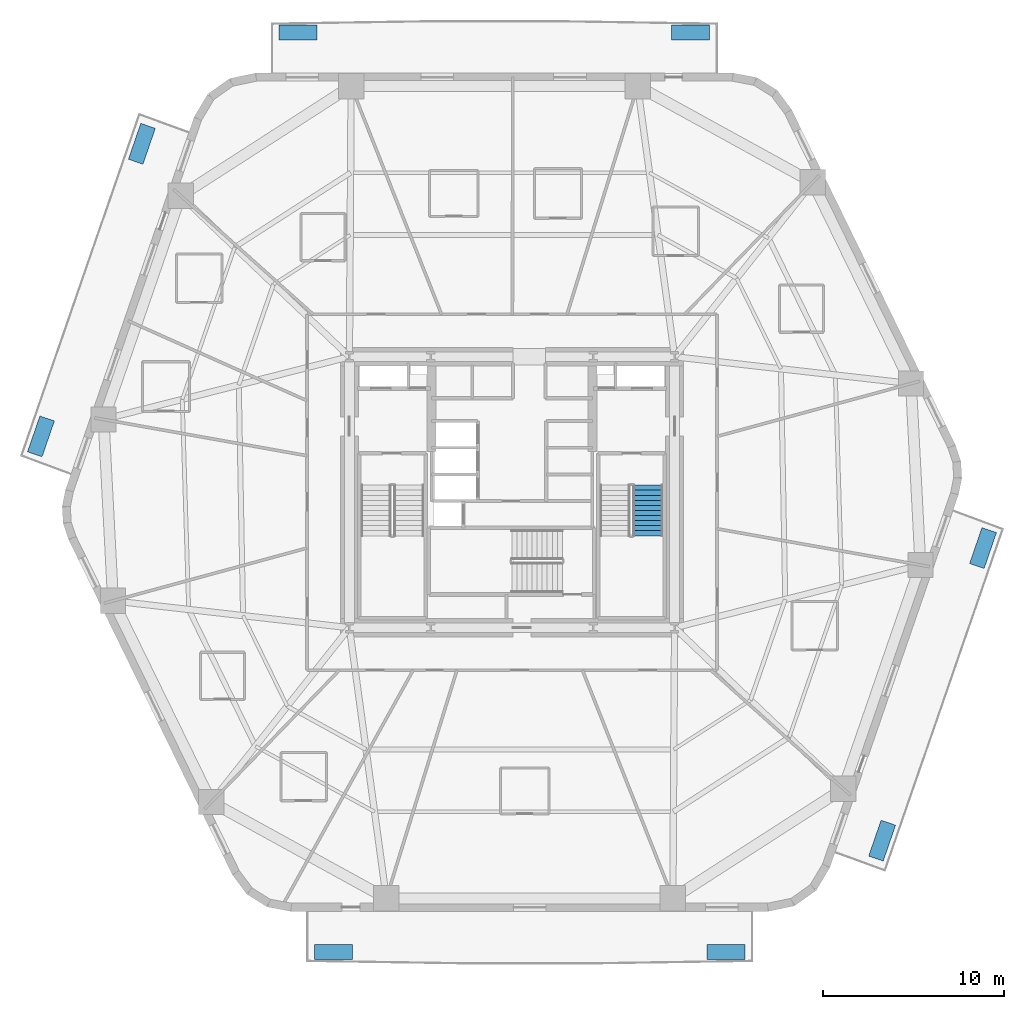
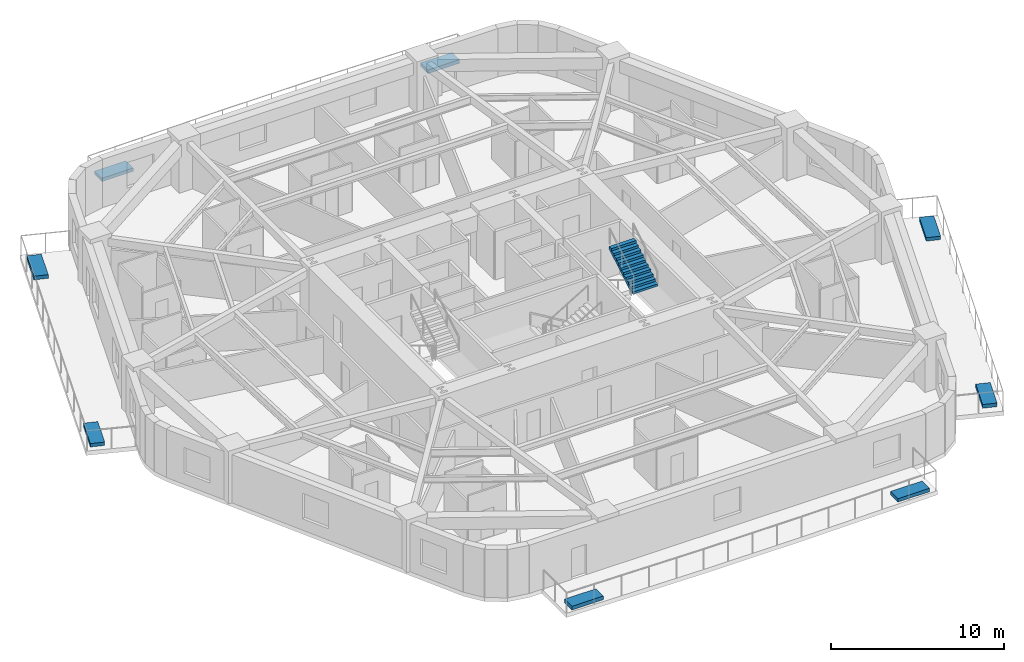
# One storey, part 7 of 10: 8 discrete accessories, 1 stair flight, 1 element without a shape of its own.
"""IFC4 building model written with IfcOpenShell, lengths in metres."""

from ifc_helpers import new_model, si_unit, direction, frame, origin, origin_2d, place, context, subcontext, project, spatial, polyline, rectangle, outline, extrude, material, type_object, element, aggregate, save


model = new_model("IFC4")

# Units and contexts
model_context = context("Model", 3, precision=1e-05, world=origin(), true_north=direction((0.0, 1.0)))
body_context = subcontext(model_context, "Body", "Model", "MODEL_VIEW")
ifc_project = project(units=[si_unit("LENGTHUNIT", "METRE"), si_unit("AREAUNIT", "SQUARE_METRE"), si_unit("VOLUMEUNIT", "CUBIC_METRE"), si_unit("PLANEANGLEUNIT", "RADIAN"), si_unit("MASSUNIT", "GRAM", prefix="KILO")], contexts=[model_context])

# Site, building, storey
site_placement = place(None, origin())
site = spatial("IfcSite", under=ifc_project, at=site_placement, CompositionType="ELEMENT")
building_placement = place(site_placement, origin())
building = spatial("IfcBuilding", under=site, at=building_placement, Name="Kilnhurst Terrace Hotel", CompositionType="ELEMENT")
storey_placement = place(building_placement, frame((0.0, 0.0, 71.199951171875)))
storey = spatial("IfcBuildingStorey", under=building, at=storey_placement, Name="L16", CompositionType="ELEMENT", Elevation=71.199951171875)

# Stair, stair flight
ifc_material_1 = material(Name="Concrete C50/60", Category="concrete")
stair_type = type_object("IfcStairType", Name="STR-CORE-1660", PredefinedType="HALF_TURN_STAIR", material=ifc_material_1)
stair_placement = place(storey_placement, origin())
stair = element("IfcStair", 1, at=stair_placement, inside=storey, type_object=stair_type, Name="L16 ST-2", PredefinedType="HALF_TURN_STAIR")
stair_flight_type = type_object("IfcStairFlightType", Name="FLT-RC-1660", PredefinedType="STRAIGHT", material=ifc_material_1)
stair_flight_placement = place(storey_placement, frame((7.52001953125, -2.409912109375, 1.85009765625), z_axis=(0.0, 0.0, 1.0), x_axis=(0.0, 1.0, 0.0)))
stair_flight = element("IfcStairFlight", 2, at=stair_flight_placement, type_object=stair_flight_type, Name="ST-2 flight 2", NumberOfRisers=11, NumberOfTreads=10, PredefinedType="STRAIGHT", RiserHeight=0.168181818, TreadLength=0.28, context=body_context, shape_type="SweptSolid", body=[
    extrude(outline(polyline([(0.0, 0.0), (0.0, 0.168212890625), (0.280029296875, 0.168212890625), (0.280029296875, 0.33642578125), (0.56005859375, 0.33642578125), (0.56005859375, 0.504638671875), (0.840087890625, 0.504638671875), (0.840087890625, 0.672607421875), (1.1201171875, 0.672607421875), (1.1201171875, 0.8408203125), (1.39990234375, 0.8408203125), (1.39990234375, 1.009033203125), (1.679931640625, 1.009033203125), (1.679931640625, 1.17724609375), (1.9599609375, 1.17724609375), (1.9599609375, 1.345458984375), (2.239990234375, 1.345458984375), (2.239990234375, 1.513671875), (2.52001953125, 1.513671875), (2.52001953125, 1.681884765625), (2.800048828125, 1.681884765625), (2.800048828125, 1.85009765625), (2.800048828125, 1.5068359375), (0.291015625, 0.0), (0.0, 0.0)])), frame((0.0, 0.830078125, 0.0), z_axis=(0.0, -1.0, 0.0), x_axis=(1.0, 0.0, 0.0)), (0.0, 0.0, 1.0), 1.659912109375),
])
aggregate(stair, [stair_flight])

# Discrete accessories
ifc_material_2 = material(Name="Precast Concrete C40/50 Shrub Planter", Category="concrete")
discrete_accessory_type_1 = type_object("IfcDiscreteAccessoryType", Name="PLN-SHRUB-240", PredefinedType="USERDEFINED", material=ifc_material_2)
for number, where, z_axis, x_axis, name in (
    (3, (11.841552734375, -25.449951171875, 0.0), (0.0, 0.0, 1.0), (1.0, 0.0, 0.0), "L16 Structural Tree Planter Box PLANTER BAL-L1A.2"),
    (4, (26.073486328125, -3.09130859375, 0.0), (0.0, 0.0, 1.0), (0.326063182175, 0.94534797891, 0.0), "L16 Structural Tree Planter Box PLANTER BAL-L1B.2"),
    (5, (-11.841552734375, 25.449951171875, 0.0), (0.0, 0.0, 1.0), (-1.0, 0.0, 0.0), "L16 Structural Tree Planter Box PLANTER BAL-L2A.2"),
    (6, (-26.073486328125, 3.09130859375, 0.0), (0.0, 0.0, 1.0), (-0.326063182175, -0.94534797891, 0.0), "L16 Structural Tree Planter Box PLANTER BAL-L2B.2"),
):
    element("IfcDiscreteAccessory", number, at=place(storey_placement, frame(where, z_axis=z_axis, x_axis=x_axis)), inside=storey, type_object=discrete_accessory_type_1, Name=name, ObjectType="PLANTER", PredefinedType="USERDEFINED", context=body_context, shape_type="SweptSolid", body=[
        extrude(rectangle(XDim=2.10009765625, YDim=0.85009765625, at=origin_2d()), origin(), (0.0, 0.0, 1.0), 0.239990234375),
    ])
ifc_material_3 = material(Name="Precast Concrete C40/50 Tree Planter", Category="concrete")
discrete_accessory_type_2 = type_object("IfcDiscreteAccessoryType", Name="PLN-TREE-260", PredefinedType="USERDEFINED", material=ifc_material_3)
for number, where, z_axis, x_axis, name in (
    (7, (-9.89208984375, -25.449951171875, 0.0), (0.0, 0.0, 1.0), (1.0, 0.0, 0.0), "L16 Structural Tree Planter Box PLANTER BAL-L1A.1"),
    (8, (20.488037109375, -19.285888671875, 0.0), (0.0, 0.0, 1.0), (0.326063182175, 0.94534797891, 0.0), "L16 Structural Tree Planter Box PLANTER BAL-L1B.1"),
    (9, (9.89208984375, 25.449951171875, 0.0), (0.0, 0.0, 1.0), (-1.0, 0.0, 0.0), "L16 Structural Tree Planter Box PLANTER BAL-L2A.1"),
    (10, (-20.488037109375, 19.285888671875, 0.0), (0.0, 0.0, 1.0), (-0.326063182175, -0.94534797891, 0.0), "L16 Structural Tree Planter Box PLANTER BAL-L2B.1"),
):
    element("IfcDiscreteAccessory", number, at=place(storey_placement, frame(where, z_axis=z_axis, x_axis=x_axis)), inside=storey, type_object=discrete_accessory_type_2, Name=name, ObjectType="PLANTER", PredefinedType="USERDEFINED", context=body_context, shape_type="SweptSolid", body=[
        extrude(rectangle(XDim=2.10009765625, YDim=0.85009765625, at=origin_2d()), origin(), (0.0, 0.0, 1.0), 0.260009765625),
    ])

save(model, "model.ifc")
